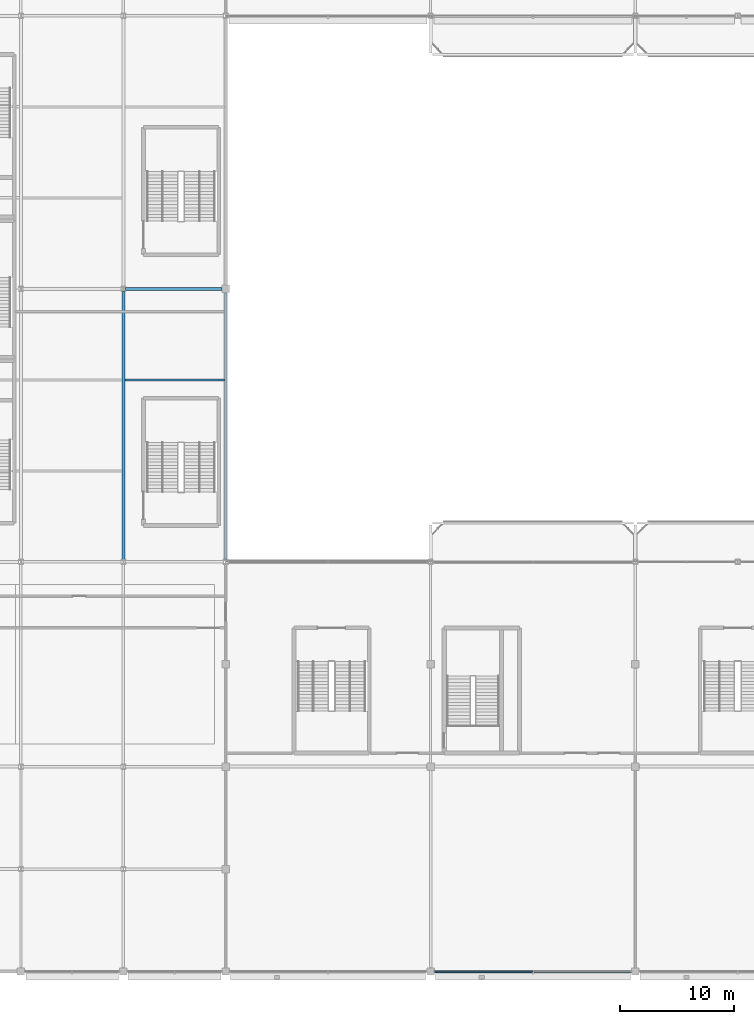
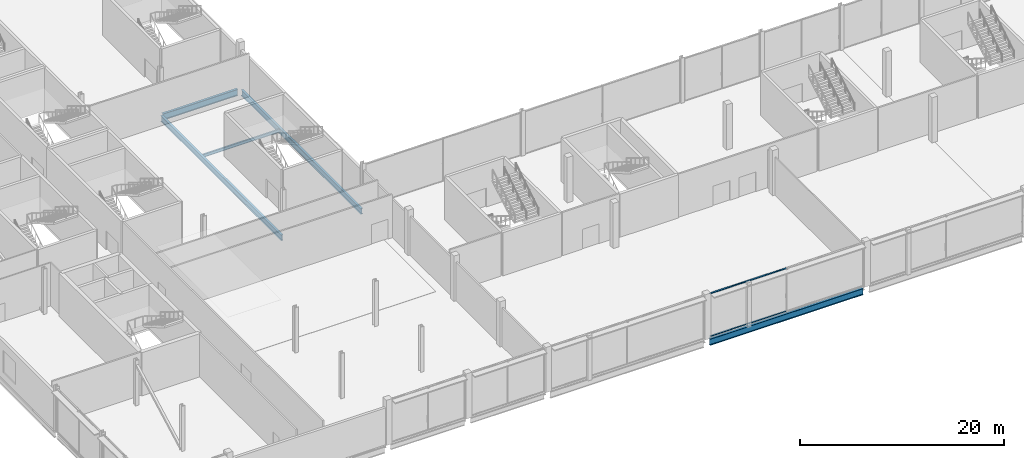
# One storey, part 18 of 113: 5 beams, 2 members, 1 element without a shape of its own.
"""IFC4 building model written with IfcOpenShell, lengths in metres."""

from ifc_helpers import new_model, si_unit, direction, frame, origin, origin_2d, place, context, subcontext, project, spatial, rectangle, i_section, extrude, material, layer, layer_set, material_profile, profile_set, type_object, element, aggregate, save


model = new_model("IFC4")

# Units and contexts
model_context = context("Model", 3, precision=1e-05, world=origin(), true_north=direction((0.0, 1.0)))
body_context = subcontext(model_context, "Body", "Model", "MODEL_VIEW")
ifc_project = project(units=[si_unit("LENGTHUNIT", "METRE"), si_unit("AREAUNIT", "SQUARE_METRE"), si_unit("VOLUMEUNIT", "CUBIC_METRE"), si_unit("PLANEANGLEUNIT", "RADIAN"), si_unit("MASSUNIT", "GRAM", prefix="KILO")], contexts=[model_context])

# Site, building, storey
site_placement = place(None, origin())
site = spatial("IfcSite", under=ifc_project, at=site_placement, CompositionType="ELEMENT")
building_placement = place(site_placement, origin())
building = spatial("IfcBuilding", under=site, at=building_placement, Name="Kisiwana Market Hall", CompositionType="ELEMENT")
storey_placement = place(building_placement, frame((0.0, 0.0, 6.0)))
storey = spatial("IfcBuildingStorey", under=building, at=storey_placement, Name="L01", CompositionType="ELEMENT", Elevation=6.0)

# Beams
ifc_material_1 = material(Name="Steel S355", Category="steel")
ifc_material_profile_1 = material_profile(ifc_material_1, i_section(OverallWidth=0.253662109375, OverallDepth=0.68359375, WebThickness=0.012451171875, FlangeThickness=0.01904296875, at=origin_2d()), Name="UB 686x254x140")
ifc_profile_set_1 = profile_set([ifc_material_profile_1], Name="Steel S355")
beam_type_1 = type_object("IfcBeamType", Name="BM-GIRD-UB686", PredefinedType="BEAM", material=ifc_profile_set_1)
beam_1_placement = place(storey_placement, frame((45.0, 36.21337890625, -0.591796875), z_axis=(0.0, 1.0, 0.0), x_axis=(-1.0, 0.0, 0.0)))
element("IfcBeam", 1, at=beam_1_placement, inside=storey, type_object=beam_type_1, Name="Floor beam B-0565", PredefinedType="BEAM", context=body_context, shape_type="SweptSolid", body=[
    extrude(i_section(OverallWidth=0.253662109375, OverallDepth=0.68359375, WebThickness=0.012451171875, FlangeThickness=0.01904296875, at=origin_2d()), origin(), (0.0, 0.0, 1.0), 23.440673828125),
])
beam_2_placement = place(storey_placement, frame((36.0, 36.21337890625, -0.591796875), z_axis=(0.0, 1.0, 0.0), x_axis=(-1.0, 0.0, 0.0)))
element("IfcBeam", 2, at=beam_2_placement, inside=storey, type_object=beam_type_1, Name="Primary girder B-0348", PredefinedType="BEAM", context=body_context, shape_type="SweptSolid", body=[
    extrude(i_section(OverallWidth=0.253662109375, OverallDepth=0.68359375, WebThickness=0.012451171875, FlangeThickness=0.01904296875, at=origin_2d()), origin(), (0.0, 0.0, 1.0), 23.5732421875),
])
ifc_material_2 = material(Name="Steel S355", Category="steel")
ifc_material_profile_2 = material_profile(ifc_material_2, i_section(OverallWidth=0.2666015625, OverallDepth=0.76220703125, WebThickness=0.014404296875, FlangeThickness=0.021484375, at=origin_2d()), Name="UB 762x267x173")
ifc_profile_set_2 = profile_set([ifc_material_profile_2], Name="Steel S355")
beam_type_2 = type_object("IfcBeamType", Name="BM-GIRD-UB762", PredefinedType="BEAM", material=ifc_profile_set_2)
beam_3_placement = place(storey_placement, frame((63.345947265625, 0.0, -0.631103515625), z_axis=(1.0, 0.0, 0.0), x_axis=(0.0, 1.0, 0.0)))
element("IfcBeam", 3, at=beam_3_placement, inside=storey, type_object=beam_type_2, Name="Floor beam B-0454", PredefinedType="BEAM", context=body_context, shape_type="SweptSolid", body=[
    extrude(i_section(OverallWidth=0.2666015625, OverallDepth=0.76220703125, WebThickness=0.014404296875, FlangeThickness=0.021484375, at=origin_2d()), origin(), (0.0, 0.0, 1.0), 17.30810546875),
])
beam_4_placement = place(storey_placement, frame((36.201904296875, 60.0, -0.631103515625), z_axis=(1.0, 0.0, 0.0), x_axis=(0.0, 1.0, 0.0)))
element("IfcBeam", 4, at=beam_4_placement, inside=storey, type_object=beam_type_2, Name="Floor beam B-0327", PredefinedType="BEAM", context=body_context, shape_type="SweptSolid", body=[
    extrude(i_section(OverallWidth=0.2666015625, OverallDepth=0.76220703125, WebThickness=0.014404296875, FlangeThickness=0.021484375, at=origin_2d()), origin(), (0.0, 0.0, 1.0), 8.4521484375),
])
ifc_material_3 = material(Name="Steel S355", Category="steel")
ifc_material_profile_3 = material_profile(ifc_material_3, i_section(OverallWidth=0.17138671875, OverallDepth=0.35498046875, WebThickness=0.00732421875, FlangeThickness=0.011474609375, at=origin_2d()), Name="UB 356x171x51")
ifc_profile_set_3 = profile_set([ifc_material_profile_3], Name="Steel S355")
beam_type_3 = type_object("IfcBeamType", Name="BM-JOIST-UB356", PredefinedType="JOIST", material=ifc_profile_set_3)
beam_5_placement = place(storey_placement, frame((36.125732421875, 52.0, -0.427490234375), z_axis=(1.0, 0.0, 0.0), x_axis=(0.0, 1.0, 0.0)))
element("IfcBeam", 5, at=beam_5_placement, inside=storey, type_object=beam_type_3, Name="Secondary floor joist B-0430", PredefinedType="JOIST", context=body_context, shape_type="SweptSolid", body=[
    extrude(i_section(OverallWidth=0.17138671875, OverallDepth=0.35498046875, WebThickness=0.00732421875, FlangeThickness=0.011474609375, at=origin_2d()), origin(), (0.0, 0.0, 1.0), 8.74853515625),
])

# Curtain wall, members
ifc_material_4 = material(Name="Double-glazed solar-control low-E IGU", Category="glass")
ifc_layer = layer(ifc_material_4, 0.159912109375)
ifc_layer_set = layer_set([ifc_layer], Name="CW-FC-S-7600")
curtain_wall_type = type_object("IfcCurtainWallType", Name="CW-FC-S-7600", PredefinedType="USERDEFINED", material=ifc_layer_set)
curtain_wall_placement = place(storey_placement, origin())
curtain_wall = element("IfcCurtainWall", 6, at=curtain_wall_placement, inside=storey, type_object=curtain_wall_type, Name="Unitised curtain wall CW-009 (L01)", ObjectType="UNITISED CURTAIN WALL", PredefinedType="USERDEFINED")
ifc_material_5 = material(Name="Aluminium alloy 6063-T6", Category="aluminium")
ifc_material_profile_4 = material_profile(ifc_material_5, rectangle(XDim=0.1201171875, YDim=0.06005859375, at=origin_2d()), Name="ALU TRANSOM 60x120")
ifc_profile_set_4 = profile_set([ifc_material_profile_4], Name="Aluminium alloy 6063-T6")
member_type = type_object("IfcMemberType", Name="CW-TRAN-60x120", PredefinedType="USERDEFINED", material=ifc_profile_set_4)
member_1_placement = place(storey_placement, frame((63.385009765625, 0.0, 0.030029296875), z_axis=(1.0, 0.0, 0.0), x_axis=(0.0, 1.0, 0.0)))
member_1 = element("IfcMember", 7, at=member_1_placement, type_object=member_type, Name="CW-009 transom 1.1", ObjectType="TRANSOM", PredefinedType="USERDEFINED", context=body_context, shape_type="SweptSolid", body=[
    extrude(rectangle(XDim=0.1201171875, YDim=0.06005859375, at=origin_2d()), origin(), (0.0, 0.0, 1.0), 8.5849609375),
])
member_2_placement = place(storey_placement, frame((63.385009765625, 0.0, 5.1201171875), z_axis=(1.0, 0.0, 0.0), x_axis=(0.0, 1.0, 0.0)))
member_2 = element("IfcMember", 8, at=member_2_placement, type_object=member_type, Name="CW-009 transom 1.2", ObjectType="TRANSOM", PredefinedType="USERDEFINED", context=body_context, shape_type="SweptSolid", body=[
    extrude(rectangle(XDim=0.1201171875, YDim=0.06005859375, at=origin_2d()), origin(), (0.0, 0.0, 1.0), 8.5849609375),
])
aggregate(curtain_wall, [member_1, member_2])

save(model, "model.ifc")
